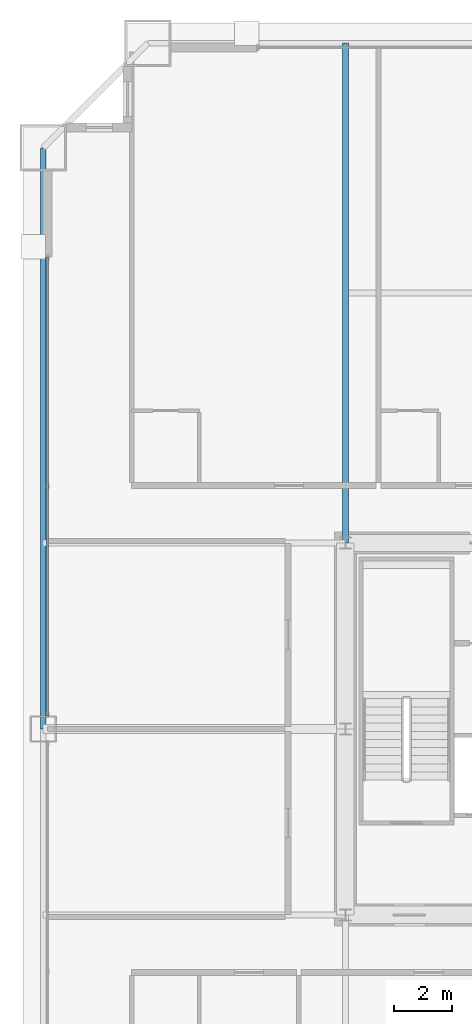
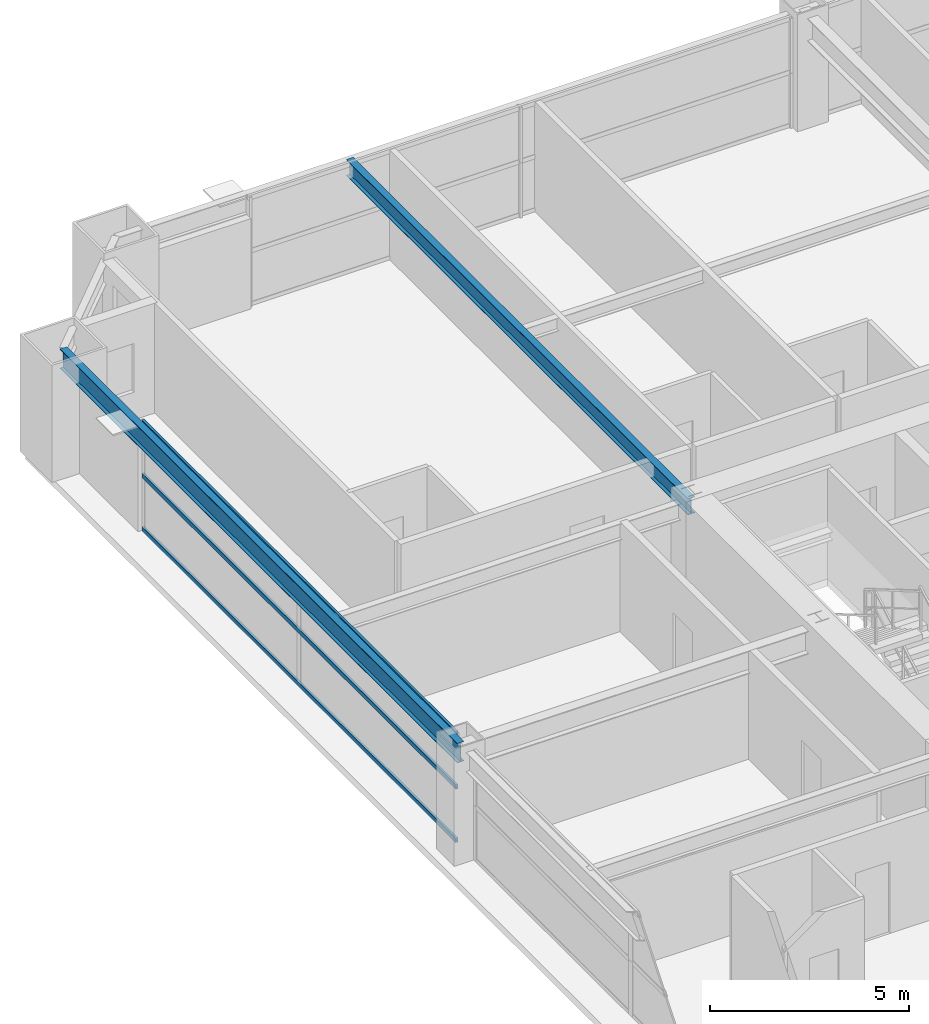
# One storey, part 22 of 39: 3 members, 2 beams, 1 element without a shape of its own.
"""IFC4 building model written with IfcOpenShell, lengths in metres."""

import ifcopenshell
import ifcopenshell.guid

model = None  # the IFC model being written
_history = None  # IfcOwnerHistory: only IFC2X3 demands one
_inside = {}  # id of a spatial element -> (the spatial element, [elements in it])
_under = {}  # id of a project, library or spatial element -> (it, [spatial elements below it])
_declared = {}  # id of a project -> (the project, [libraries it declares])
_typed = {}  # id of a type object -> (the type object, [elements of that type])
_made_of = {}  # id of a material, layer set ... -> (it, [elements and type objects made of it])


def new_model(schema):
    """Start an empty IFC model of exactly this schema.

    Asked for "IFC4X3", IfcOpenShell would pick the latest addendum, in which some entities
    have other attributes; the version numbers below select the first issue.
    IFC2X3 requires an IfcOwnerHistory on every rooted entity: one is made here for all.
    """
    global model, _history
    if schema == "IFC4X3":
        model = ifcopenshell.file(schema_version=(4, 3, 0, 0))
    else:
        model = ifcopenshell.file(schema=schema)
    _inside.clear()
    _under.clear()
    _declared.clear()
    _typed.clear()
    _made_of.clear()
    _history = None
    if model.schema == "IFC2X3":
        org = make("IfcOrganization", Name="unknown")
        user = make(
            "IfcPersonAndOrganization",
            ThePerson=make("IfcPerson", FamilyName="unknown"),
            TheOrganization=org,
        )
        app = make(
            "IfcApplication",
            ApplicationDeveloper=org,
            Version="unknown",
            ApplicationFullName="unknown",
            ApplicationIdentifier="unknown",
        )
        _history = make(
            "IfcOwnerHistory",
            OwningUser=user,
            OwningApplication=app,
            ChangeAction="ADDED",
            CreationDate=0,
        )
    return model


def make(cls, **values):
    """One entity of the class cls with the attributes given. An attribute that is None is left unset."""
    return model.create_entity(
        cls, **{name: value for name, value in values.items() if value is not None}
    )


def rooted(cls, **values):
    """An entity with a GlobalId (a new one), such as an element, a storey or a relation."""
    return make(cls, GlobalId=ifcopenshell.guid.new(), OwnerHistory=_history, **values)


def si_unit(unit_type, name, prefix=None):
    """IfcSIUnit, for example si_unit("LENGTHUNIT", "METRE", prefix="MILLI")."""
    return make("IfcSIUnit", UnitType=unit_type, Prefix=prefix, Name=name)


def assignment(units):
    """IfcUnitAssignment: the units of a project."""
    return None if units is None else make("IfcUnitAssignment", Units=units)


def point(xyz):
    """IfcCartesianPoint."""
    return None if xyz is None else make("IfcCartesianPoint", Coordinates=xyz)


def direction(xyz):
    """IfcDirection."""
    return None if xyz is None else make("IfcDirection", DirectionRatios=xyz)


def frame(location, z_axis=None, x_axis=None):
    """IfcAxis2Placement3D, a coordinate frame: its origin and axes. An axis left out is left unset."""
    return make(
        "IfcAxis2Placement3D",
        Location=point(location),
        Axis=direction(z_axis),
        RefDirection=direction(x_axis),
    )


def frame_2d(location, x_axis=None):
    """IfcAxis2Placement2D, a coordinate frame in the plane: its origin and x axis."""
    return make(
        "IfcAxis2Placement2D", Location=point(location), RefDirection=direction(x_axis)
    )


def origin():
    """The frame at (0, 0, 0) with its axes left unset."""
    return frame((0.0, 0.0, 0.0))


def origin_2d():
    """The frame at (0, 0) in the plane with its x axis left unset."""
    return frame_2d((0.0, 0.0))


def place(relative_to, where):
    """IfcLocalPlacement: puts the frame where relative to a parent placement (None: the world)."""
    return make(
        "IfcLocalPlacement", PlacementRelTo=relative_to, RelativePlacement=where
    )


def context(
    kind, dimensions, precision=None, world=None, true_north=None, identifier=None
):
    """IfcGeometricRepresentationContext, for example the 3D "Model" context."""
    return make(
        "IfcGeometricRepresentationContext",
        ContextIdentifier=identifier,
        ContextType=kind,
        CoordinateSpaceDimension=dimensions,
        Precision=precision,
        WorldCoordinateSystem=world,
        TrueNorth=true_north,
    )


def subcontext(parent, identifier, kind, view, scale=None):
    """IfcGeometricRepresentationSubContext, for example "Body" below "Model"."""
    return make(
        "IfcGeometricRepresentationSubContext",
        ContextIdentifier=identifier,
        ContextType=kind,
        ParentContext=parent,
        TargetScale=scale,
        TargetView=view,
    )


def project(units=None, contexts=None):
    """IfcProject with its units and contexts."""
    return rooted(
        "IfcProject",
        Name="project",
        RepresentationContexts=contexts,
        UnitsInContext=assignment(units),
    )


def spatial(cls, under=None, at=None, **own):
    """A site, building, storey or space (cls), placed at a placement, below another one or the project."""
    s = rooted(cls, ObjectPlacement=at, **own)
    if under is not None:
        _under.setdefault(under.id(), (under, []))[1].append(s)
    return s


def profile(cls, at=None, kind="AREA", **sizes):
    """A parametric profile (cls). Its sizes go by their IFC names, for example OverallWidth=200.0."""
    return make(cls, ProfileType=kind, Position=at, **sizes)


def hollow_rectangle(**sizes):
    """IfcRectangleHollowProfileDef."""
    return profile("IfcRectangleHollowProfileDef", **sizes)


def i_section(**sizes):
    """IfcIShapeProfileDef."""
    return profile("IfcIShapeProfileDef", **sizes)


def extrude(swept, where, along, depth):
    """IfcExtrudedAreaSolid: the profile swept, set in the frame where, extruded along a direction by depth."""
    return make(
        "IfcExtrudedAreaSolid",
        SweptArea=swept,
        Position=where,
        ExtrudedDirection=direction(along),
        Depth=depth,
    )


def shape(context_of_items, identifier, shape_type, items):
    """IfcShapeRepresentation: the items that make up one representation, for example the "Body"."""
    return make(
        "IfcShapeRepresentation",
        ContextOfItems=context_of_items,
        RepresentationIdentifier=identifier,
        RepresentationType=shape_type,
        Items=items,
    )


def source(mapping_origin, context_of_items, identifier, shape_type, items):
    """IfcRepresentationMap: a shape defined once, which mapped items show again and again."""
    return make(
        "IfcRepresentationMap",
        MappingOrigin=mapping_origin,
        MappedRepresentation=shape(context_of_items, identifier, shape_type, items),
    )


def transform(
    local_origin,
    x_axis=None,
    y_axis=None,
    z_axis=None,
    scale=None,
    scale2=None,
    scale3=None,
    uniform=True,
):
    """IfcCartesianTransformationOperator3D, or its non-uniform kind. x_axis, y_axis, z_axis: its Axis1, 2, 3."""
    if uniform:
        return make(
            "IfcCartesianTransformationOperator3D",
            Axis1=direction(x_axis),
            Axis2=direction(y_axis),
            LocalOrigin=point(local_origin),
            Scale=scale,
            Axis3=direction(z_axis),
        )
    return make(
        "IfcCartesianTransformationOperator3DnonUniform",
        Axis1=direction(x_axis),
        Axis2=direction(y_axis),
        LocalOrigin=point(local_origin),
        Scale=scale,
        Axis3=direction(z_axis),
        Scale2=scale2,
        Scale3=scale3,
    )


def mapped(mapping_source, mapping_target):
    """IfcMappedItem: shows the shape of a source again, moved by a transform."""
    return make(
        "IfcMappedItem", MappingSource=mapping_source, MappingTarget=mapping_target
    )


def material(Name=None, Category=None):
    """IfcMaterial."""
    return make("IfcMaterial", Name=Name, Category=Category)


def layer(
    of_material, thickness, ventilated=None, Name=None, Category=None, Priority=None
):
    """IfcMaterialLayer: one layer of a wall or slab, of a material (None: an air gap)."""
    return make(
        "IfcMaterialLayer",
        Material=of_material,
        LayerThickness=thickness,
        IsVentilated=ventilated,
        Name=Name,
        Category=Category,
        Priority=Priority,
    )


def layer_set(layers, Name=None):
    """IfcMaterialLayerSet."""
    return make("IfcMaterialLayerSet", MaterialLayers=layers, LayerSetName=Name)


def material_profile(
    of_material, cross_section, Name=None, Category=None, Priority=None
):
    """IfcMaterialProfile: a cross section and its material."""
    return make(
        "IfcMaterialProfile",
        Name=Name,
        Material=of_material,
        Profile=cross_section,
        Priority=Priority,
        Category=Category,
    )


def profile_set(profiles, Name=None, composite=None):
    """IfcMaterialProfileSet."""
    return make(
        "IfcMaterialProfileSet",
        Name=Name,
        MaterialProfiles=profiles,
        CompositeProfile=composite,
    )


def made_of(thing, what):
    """Note that an element or type object is made of a material, layer set ...; save() writes the relation."""
    if what is not None:
        _made_of.setdefault(what.id(), (what, []))[1].append(thing)
    return thing


def type_object(cls, material=None, **own):
    """A type object (cls), such as IfcWallType, which elements share."""
    return made_of(rooted(cls, **own), material)


def element(
    cls,
    number,
    at=None,
    inside=None,
    cuts=None,
    type_object=None,
    material=None,
    context=None,
    identifier="Body",
    shape_type=None,
    held_by="IfcProductDefinitionShape",
    body=None,
    shapes=None,
    **own,
):
    """One element of the class cls, such as IfcWall. Its Tag is "e" and its number.

    at: its placement. inside: the storey or other place that contains it. cuts: it is an
    opening in that element (IfcRelVoidsElement). A single representation is given by context,
    identifier, shape_type and body (its items); several are given by shapes. held_by: the class
    of the entity that holds the representations. save() writes the other relations.
    """
    e = rooted(cls, Tag="e%d" % number, ObjectPlacement=at, **own)
    if body is not None:
        shapes = [shape(context, identifier, shape_type, body)]
    if shapes is not None:
        e.Representation = make(held_by, Representations=shapes)
    if inside is not None:
        _inside.setdefault(inside.id(), (inside, []))[1].append(e)
    if cuts is not None:
        rooted(
            "IfcRelVoidsElement", RelatingBuildingElement=cuts, RelatedOpeningElement=e
        )
    if type_object is not None:
        _typed.setdefault(type_object.id(), (type_object, []))[1].append(e)
    return made_of(e, material)


def aggregate(whole, parts):
    """IfcRelAggregates: a whole, such as a stair, and the parts it consists of."""
    return rooted("IfcRelAggregates", RelatingObject=whole, RelatedObjects=parts)


def save(model, path):
    """Write the relations noted so far, then the file.

    IfcRelAggregates (storeys below a building ...), IfcRelContainedInSpatialStructure (elements
    in a storey), IfcRelDefinesByType, IfcRelAssociatesMaterial and IfcRelDeclares: one each for
    every whole, place, type object, material and project.
    """
    for whole, parts in _under.values():
        aggregate(whole, parts)
    for where, things in _inside.values():
        rooted(
            "IfcRelContainedInSpatialStructure",
            RelatedElements=things,
            RelatingStructure=where,
        )
    for kind, things in _typed.values():
        rooted("IfcRelDefinesByType", RelatedObjects=things, RelatingType=kind)
    for what, things in _made_of.values():
        rooted("IfcRelAssociatesMaterial", RelatedObjects=things, RelatingMaterial=what)
    for by, libraries in _declared.values():
        rooted("IfcRelDeclares", RelatingContext=by, RelatedDefinitions=libraries)
    model.write(path)


model = new_model("IFC4")

# Units and contexts
model_context = context("Model", 3, precision=1e-05, world=origin(), true_north=direction((0.0, 1.0)))
body_context = subcontext(model_context, "Body", "Model", "MODEL_VIEW")
ifc_project = project(units=[si_unit("LENGTHUNIT", "METRE"), si_unit("AREAUNIT", "SQUARE_METRE"), si_unit("VOLUMEUNIT", "CUBIC_METRE"), si_unit("PLANEANGLEUNIT", "RADIAN"), si_unit("MASSUNIT", "GRAM", prefix="KILO"), si_unit("THERMODYNAMICTEMPERATUREUNIT", "KELVIN"), si_unit("POWERUNIT", "WATT")], contexts=[model_context])

# Site, building, storey
site_placement = place(None, origin())
site = spatial("IfcSite", under=ifc_project, at=site_placement, CompositionType="ELEMENT")
building_placement = place(site_placement, origin())
building = spatial("IfcBuilding", under=site, at=building_placement, Name="Yuzanri Waterfront Tower", CompositionType="ELEMENT")
storey_placement = place(building_placement, frame((0.0, 0.0, 148.800048828125)))
storey = spatial("IfcBuildingStorey", under=building, at=storey_placement, Name="L39", CompositionType="ELEMENT", Elevation=148.800048828125)

# Beams
ifc_material_1 = material(Name="Steel Q355B", Category="steel")
ifc_material_profile_1 = material_profile(ifc_material_1, i_section(OverallWidth=0.199951171875, OverallDepth=0.60009765625, WebThickness=0.010986328125, FlangeThickness=0.01708984375, at=origin_2d()), Name="HN 600x200x11x17")
ifc_profile_set_1 = profile_set([ifc_material_profile_1], Name="Steel Q355B")
beam_type_1 = type_object("IfcBeamType", Name="Perimeter Spandrel Q355B HN 600x200", PredefinedType="SPANDREL", material=ifc_profile_set_1)
shared_shape_1 = source(origin(), body_context, "Body", "SweptSolid", [
    extrude(i_section(OverallWidth=0.199951171875, OverallDepth=0.60009765625, WebThickness=0.010986328125, FlangeThickness=0.01708984375, at=origin_2d()), origin(), (0.0, 0.0, 1.0), 20.0),
])
beam_1_placement = place(storey_placement, frame((13.39990234375, 45.800048828125, 3.079833984375), z_axis=(0.0, -1.0, 0.0), x_axis=(1.0, 0.0, 0.0)))
element("IfcBeam", 1, at=beam_1_placement, inside=storey, type_object=beam_type_1, Name="L39 Perimeter Spandrel W3-W2", PredefinedType="SPANDREL", context=body_context, shape_type="MappedRepresentation", body=[
    mapped(shared_shape_1, transform((0.0, 0.0, 0.0), scale=1.0)),
])
ifc_material_2 = material(Name="Steel Q355B", Category="steel")
ifc_material_profile_2 = material_profile(ifc_material_2, i_section(OverallWidth=0.199951171875, OverallDepth=0.5, WebThickness=0.010009765625, FlangeThickness=0.01611328125, at=origin_2d()), Name="HN 500x200x10x16")
ifc_profile_set_2 = profile_set([ifc_material_profile_2], Name="Steel Q355B")
beam_type_2 = type_object("IfcBeamType", Name="Secondary Floor Beam Q355B HN 500x200", PredefinedType="BEAM", material=ifc_profile_set_2)
shared_shape_2 = source(origin(), body_context, "Body", "SweptSolid", [
    extrude(i_section(OverallWidth=0.199951171875, OverallDepth=0.5, WebThickness=0.010009765625, FlangeThickness=0.01611328125, at=origin_2d()), origin(), (0.0, 0.0, 1.0), 17.199951171875),
])
beam_2_placement = place(storey_placement, frame((23.800048828125, 32.199951171875, 3.1298828125), z_axis=(0.0, 1.0, 0.0), x_axis=(-1.0, 0.0, 0.0)))
element("IfcBeam", 2, at=beam_2_placement, inside=storey, type_object=beam_type_2, Name="L39 North-West Core Line Beam", PredefinedType="BEAM", context=body_context, shape_type="MappedRepresentation", body=[
    mapped(shared_shape_2, transform((0.0, 0.0, 0.0), scale=1.0)),
])

# Curtain wall, members
ifc_material_3 = material(Name="Anodized Architectural Bronze", Category="metal")
ifc_layer = layer(ifc_material_3, 0.159912109375)
ifc_layer_set = layer_set([ifc_layer], Name="Anodized Architectural Bronze")
curtain_wall_type = type_object("IfcCurtainWallType", Name="Anodized Bronze Hotel Upper-Tier Solar-Control Unitized Curtain Wall 7800", PredefinedType="NOTDEFINED", material=ifc_layer_set)
curtain_wall_placement = place(storey_placement, origin())
curtain_wall = element("IfcCurtainWall", 3, at=curtain_wall_placement, inside=storey, type_object=curtain_wall_type, Name="L39 Curtain Wall CW-L39-WR", PredefinedType="NOTDEFINED")
ifc_material_4 = material(Name="Anodized Architectural Bronze", Category="metal")
ifc_material_profile_3 = material_profile(ifc_material_4, hollow_rectangle(XDim=0.070068359375, YDim=0.135009765625, WallThickness=0.00341796875, at=origin_2d()), Name="CWT 70x135")
ifc_profile_set_3 = profile_set([ifc_material_profile_3], Name="Anodized Architectural Bronze")
member_type = type_object("IfcMemberType", Name="Anodized Bronze Standard Curtain-Wall Transom 70x135", PredefinedType="USERDEFINED", material=ifc_profile_set_3)
shared_shape_3 = source(origin(), body_context, "Body", "SweptSolid", [
    extrude(hollow_rectangle(XDim=0.070068359375, YDim=0.135009765625, WallThickness=0.00341796875, at=origin_2d()), origin(), (0.0, 0.0, 1.0), 15.800048828125),
])
member_1_placement = place(storey_placement, frame((13.550048828125, 26.25, 0.050048828125), z_axis=(0.0, 1.0, 0.0), x_axis=(-1.0, 0.0, 0.0)))
member_1 = element("IfcMember", 4, at=member_1_placement, type_object=member_type, Name="CW-L39-WR Transom 1", ObjectType="TRANSOM", PredefinedType="USERDEFINED", context=body_context, shape_type="MappedRepresentation", body=[
    mapped(shared_shape_3, transform((0.0, 0.0, 0.0), scale=1.0)),
])
member_2_placement = place(storey_placement, frame((13.550048828125, 26.25, 1.68994140625), z_axis=(0.0, 1.0, 0.0), x_axis=(-1.0, 0.0, 0.0)))
member_2 = element("IfcMember", 5, at=member_2_placement, type_object=member_type, Name="CW-L39-WR Transom 2", ObjectType="TRANSOM", PredefinedType="USERDEFINED", context=body_context, shape_type="MappedRepresentation", body=[
    mapped(shared_shape_3, transform((0.0, 0.0, 0.0), scale=1.0)),
])
member_3_placement = place(storey_placement, frame((13.550048828125, 26.25, 3.329833984375), z_axis=(0.0, 1.0, 0.0), x_axis=(-1.0, 0.0, 0.0)))
member_3 = element("IfcMember", 6, at=member_3_placement, type_object=member_type, Name="CW-L39-WR Transom 3", ObjectType="TRANSOM", PredefinedType="USERDEFINED", context=body_context, shape_type="MappedRepresentation", body=[
    mapped(shared_shape_3, transform((0.0, 0.0, 0.0), scale=1.0)),
])
aggregate(curtain_wall, [member_1, member_2, member_3])

save(model, "model.ifc")
